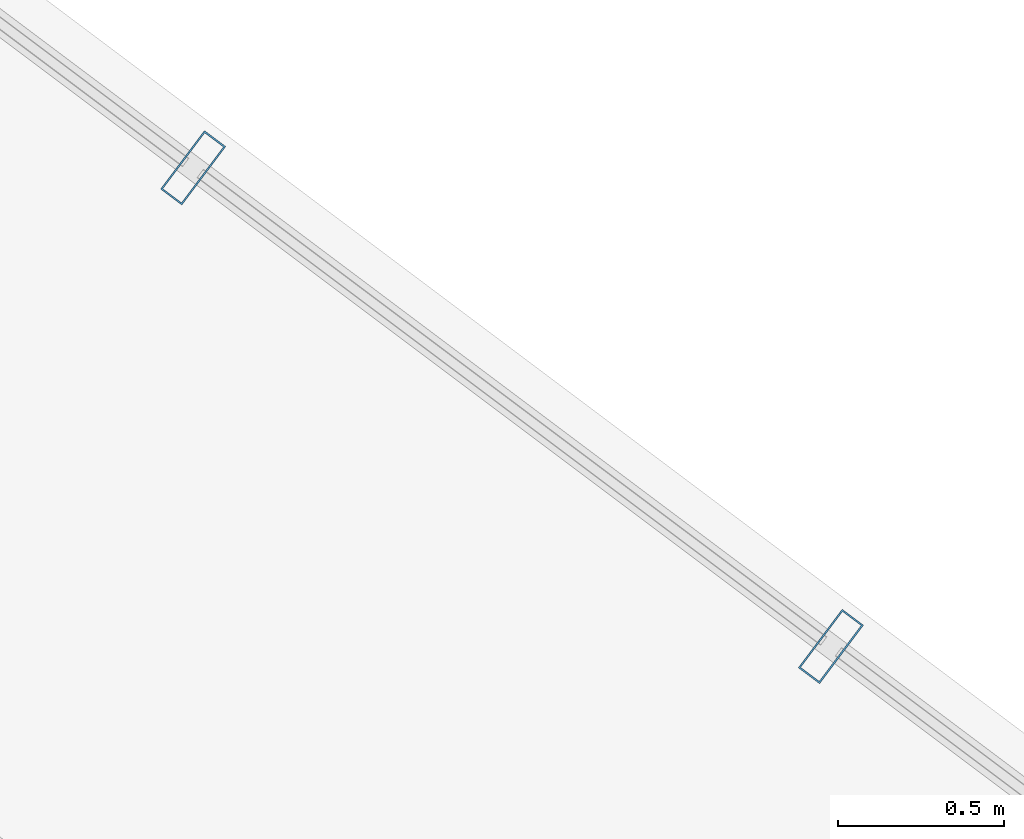
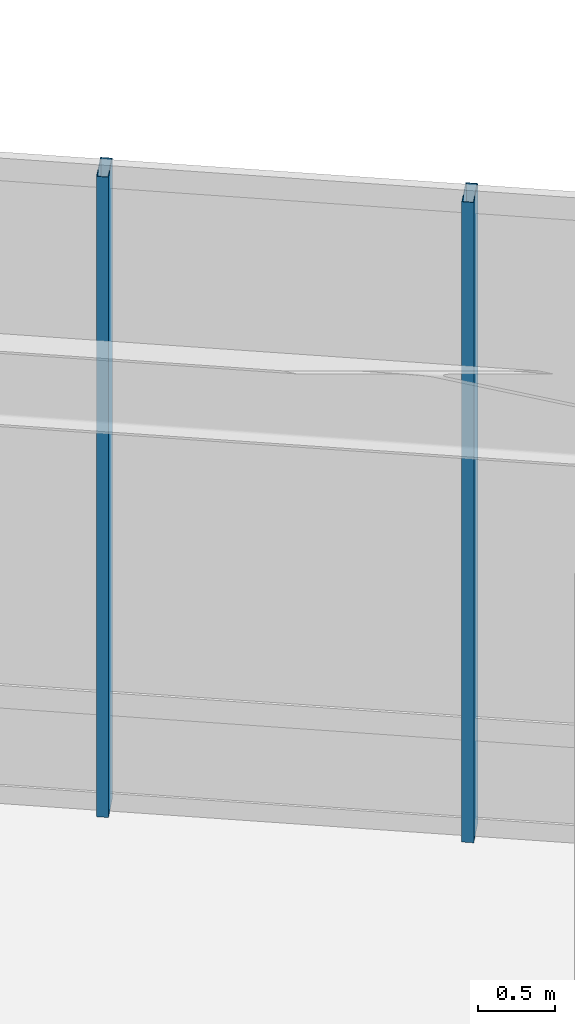
# One storey, part 16 of 38: 2 members, 1 element without a shape of its own.
"""IFC4 building model written with IfcOpenShell, lengths in metres."""

from ifc_helpers import new_model, si_unit, direction, frame, origin, origin_2d, place, context, subcontext, project, spatial, hollow_rectangle, extrude, material, layer, layer_set, material_profile, profile_set, type_object, element, aggregate, save


model = new_model("IFC4")

# Units and contexts
model_context = context("Model", 3, precision=1e-05, world=origin(), true_north=direction((0.0, 1.0)))
body_context = subcontext(model_context, "Body", "Model", "MODEL_VIEW")
ifc_project = project(units=[si_unit("LENGTHUNIT", "METRE"), si_unit("AREAUNIT", "SQUARE_METRE"), si_unit("VOLUMEUNIT", "CUBIC_METRE"), si_unit("PLANEANGLEUNIT", "RADIAN"), si_unit("MASSUNIT", "GRAM", prefix="KILO")], contexts=[model_context])

# Site, building, storey
site_placement = place(None, origin())
site = spatial("IfcSite", under=ifc_project, at=site_placement, CompositionType="ELEMENT")
building_placement = place(site_placement, origin())
building = spatial("IfcBuilding", under=site, at=building_placement, Name="Hatsunagi Terrace Concourse", CompositionType="ELEMENT")
storey_placement = place(building_placement, frame((0.0, 0.0, 21.60009765625)))
storey = spatial("IfcBuildingStorey", under=building, at=storey_placement, Name="L05", CompositionType="ELEMENT", Elevation=21.60009765625)

# Curtain wall, members
ifc_material_1 = material(Name="Anodised Aluminium Alloy 6063-T5", Category="aluminium")
ifc_layer = layer(ifc_material_1, 0.199951171875)
ifc_layer_set = layer_set([ifc_layer], Name="PodiumStorefront_CW01")
curtain_wall_type = type_object("IfcCurtainWallType", Name="PodiumStorefront_CW01", PredefinedType="NOTDEFINED", material=ifc_layer_set)
curtain_wall_placement = place(storey_placement, origin())
curtain_wall = element("IfcCurtainWall", 1, at=curtain_wall_placement, inside=storey, type_object=curtain_wall_type, Name="Unitised Curtain Wall CW-01 CW-L05-01", PredefinedType="NOTDEFINED")
ifc_material_2 = material(Name="Anodised Aluminium Alloy 6063-T5", Category="aluminium")
ifc_material_profile = material_profile(ifc_material_2, hollow_rectangle(XDim=0.080078125, YDim=0.219970703125, WallThickness=0.0048828125, at=origin_2d()), Name="ALU-MUL-220x80x5")
ifc_profile_set = profile_set([ifc_material_profile], Name="Anodised Aluminium Alloy 6063-T5")
member_type = type_object("IfcMemberType", Name="CurtainWallMullion_Heavy_220x80", PredefinedType="MULLION", material=ifc_profile_set)
member_1_placement = place(storey_placement, frame((56.385009765625, 32.0869140625, 0.0), z_axis=(0.0, 0.0, 1.0), x_axis=(0.800007305671, -0.599990258982, 0.0)))
member_1 = element("IfcMember", 2, at=member_1_placement, type_object=member_type, Name="Curtain Wall Mullion MUL-01", PredefinedType="MULLION", context=body_context, shape_type="SweptSolid", body=[
    extrude(hollow_rectangle(XDim=0.080078125, YDim=0.219970703125, WallThickness=0.0048828125, at=origin_2d()), origin(), (0.0, 0.0, 1.0), 5.099853515625),
])
member_2_placement = place(storey_placement, frame((58.304931640625, 30.64599609375, 0.0), z_axis=(0.0, 0.0, 1.0), x_axis=(0.800007305671, -0.599990258982, 0.0)))
member_2 = element("IfcMember", 3, at=member_2_placement, type_object=member_type, Name="Curtain Wall Mullion MUL-01", PredefinedType="MULLION", context=body_context, shape_type="SweptSolid", body=[
    extrude(hollow_rectangle(XDim=0.080078125, YDim=0.219970703125, WallThickness=0.0048828125, at=origin_2d()), origin(), (0.0, 0.0, 1.0), 5.099853515625),
])
aggregate(curtain_wall, [member_1, member_2])

save(model, "model.ifc")
